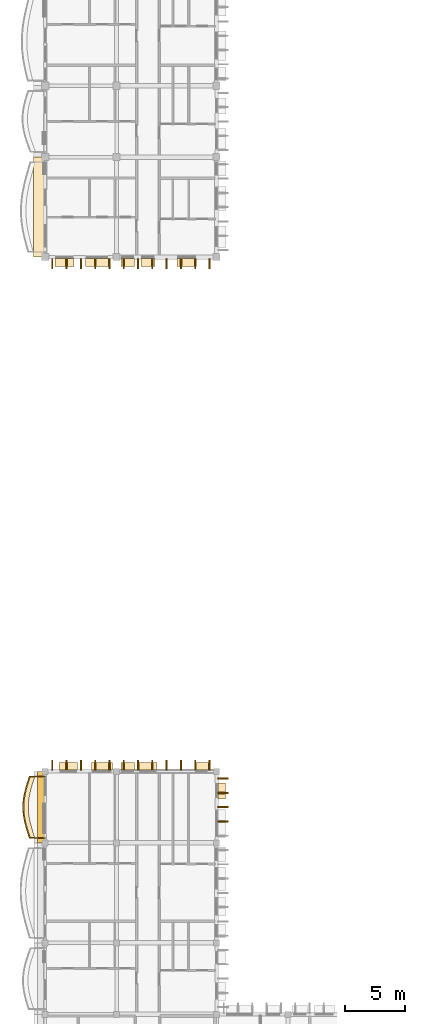
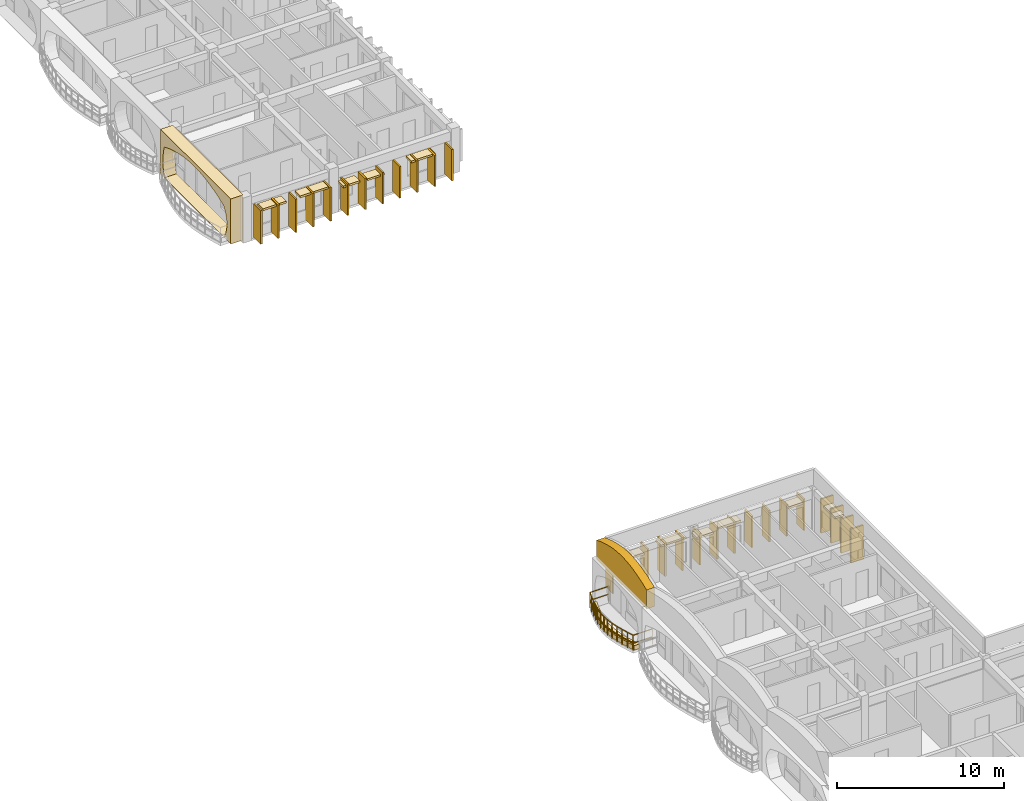
# One storey, part 33 of 45: 42 coverings, 1 railing.
"""IFC4 building model written with IfcOpenShell, lengths in metres."""

from ifc_helpers import new_model, si_unit, direction, frame, origin, origin_2d, place, context, subcontext, project, spatial, polyline, rectangle, outline, extrude, material, layer, layer_set, type_object, element, save


model = new_model("IFC4")

# Units and contexts
model_context = context("Model", 3, precision=1e-05, world=origin(), true_north=direction((0.0, 1.0)))
body_context = subcontext(model_context, "Body", "Model", "MODEL_VIEW")
ifc_project = project(units=[si_unit("LENGTHUNIT", "METRE"), si_unit("AREAUNIT", "SQUARE_METRE"), si_unit("VOLUMEUNIT", "CUBIC_METRE"), si_unit("PLANEANGLEUNIT", "RADIAN"), si_unit("MASSUNIT", "GRAM", prefix="KILO"), si_unit("THERMODYNAMICTEMPERATUREUNIT", "KELVIN")], contexts=[model_context])

# Site, building, storey
site_placement = place(None, origin())
site = spatial("IfcSite", under=ifc_project, at=site_placement, CompositionType="ELEMENT")
building_placement = place(site_placement, origin())
building = spatial("IfcBuilding", under=site, at=building_placement, Name="Thalorik Housing Commons", CompositionType="ELEMENT")
storey_placement = place(building_placement, frame((0.0, 0.0, 34.5)))
storey = spatial("IfcBuildingStorey", under=building, at=storey_placement, Name="L10", CompositionType="ELEMENT", Elevation=34.5)

# Coverings
ifc_material_1 = material(Name="Precast concrete C40/50", Category="concrete")
ifc_layer_1 = layer(ifc_material_1, 0.85009765625, Name="Precast concrete C40/50", Category="concrete")
ifc_layer_set_1 = layer_set([ifc_layer_1], Name="Precast concrete C40/50")
covering_type_1 = type_object("IfcCoveringType", Name="ARC-CLD-CUSH-850", PredefinedType="CLADDING", material=ifc_layer_set_1)
covering_1_placement = place(storey_placement, frame((7.857421875, 90.60009765625, 0.0), z_axis=(0.0, 0.0, 1.0), x_axis=(0.0, -1.0, 0.0)))
element("IfcCovering", 1, at=covering_1_placement, inside=storey, type_object=covering_type_1, Name="L10 White Precast Curved Cushion Bay Frame 1062", PredefinedType="CLADDING", context=body_context, shape_type="SweptSolid", body=[
    extrude(outline(polyline([(-4.199951171875, 0.0), (4.199951171875, 0.0), (4.199951171875, 3.300048828125), (-4.199951171875, 3.300048828125), (-4.199951171875, 0.0)]), holes=[polyline([(3.389892578125, 0.02490234375), (3.590087890625, 0.40087890625), (3.7099609375, 0.776611328125), (3.75, 1.152587890625), (3.7099609375, 1.5283203125), (3.590087890625, 1.904296875), (3.389892578125, 2.280029296875), (2.794921875, 2.51123046875), (2.199951171875, 2.693115234375), (1.60498046875, 2.840087890625), (1.010009765625, 2.94970703125), (0.4150390625, 3.01708984375), (-0.179931640625, 3.0400390625), (-0.77490234375, 3.01708984375), (-1.3701171875, 2.94970703125), (-1.965087890625, 2.840087890625), (-2.56005859375, 2.693115234375), (-3.155029296875, 2.51123046875), (-3.75, 2.280029296875), (-3.844970703125, 1.904296875), (-3.902099609375, 1.5283203125), (-3.9208984375, 1.152587890625), (-3.902099609375, 0.776611328125), (-3.844970703125, 0.40087890625), (-3.75, 0.02490234375), (3.389892578125, 0.02490234375)])]), frame((0.0, 0.425048828125, 0.0), z_axis=(0.0, -1.0, 0.0), x_axis=(1.0, 0.0, 0.0)), (0.0, 0.0, 1.0), 0.85009765625),
])
ifc_layer_2 = layer(ifc_material_1, 0.85009765625, Name="Precast concrete C40/50", Category="concrete")
ifc_layer_set_2 = layer_set([ifc_layer_2], Name="Precast concrete C40/50")
covering_type_2 = type_object("IfcCoveringType", Name="ARC-CLD-FIN-850", PredefinedType="CLADDING", material=ifc_layer_set_2)
for number, where, z_axis, x_axis, name in (
    (2, (9.0, 85.857421875, 0.0400390625), (0.0, 0.0, 1.0), (1.0, 0.0, 0.0), "L10 Courtyard Precast Vertical Brise-Soleil Fin 1064"),
    (3, (10.199951171875, 85.857421875, 0.0400390625), (0.0, 0.0, 1.0), (1.0, 0.0, 0.0), "L10 Courtyard Precast Vertical Brise-Soleil Fin 1065"),
    (4, (11.39990234375, 85.857421875, 0.0400390625), (0.0, 0.0, 1.0), (1.0, 0.0, 0.0), "L10 Courtyard Precast Vertical Brise-Soleil Fin 1066"),
    (5, (12.60009765625, 85.857421875, 0.0400390625), (0.0, 0.0, 1.0), (1.0, 0.0, 0.0), "L10 Courtyard Precast Vertical Brise-Soleil Fin 1067"),
    (6, (13.800048828125, 85.857421875, 0.0400390625), (0.0, 0.0, 1.0), (1.0, 0.0, 0.0), "L10 Courtyard Precast Vertical Brise-Soleil Fin 1068"),
):
    element("IfcCovering", number, at=place(storey_placement, frame(where, z_axis=z_axis, x_axis=x_axis)), inside=storey, type_object=covering_type_2, Name=name, PredefinedType="CLADDING", context=body_context, shape_type="SweptSolid", body=[
        extrude(rectangle(XDim=0.110107421875, YDim=0.85009765625, at=origin_2d()), origin(), (0.0, 0.0, 1.0), 2.445068359375),
    ])
for number, where, z_axis, x_axis, name in (
    (7, (15.0, 85.857421875, 0.0400390625), (0.0, 0.0, 1.0), (1.0, 0.0, 0.0), "L10 Courtyard Precast Vertical Brise-Soleil Fin 1071"),
    (8, (16.199951171875, 85.857421875, 0.0400390625), (0.0, 0.0, 1.0), (1.0, 0.0, 0.0), "L10 Courtyard Precast Vertical Brise-Soleil Fin 1072"),
    (9, (17.39990234375, 85.857421875, 0.0400390625), (0.0, 0.0, 1.0), (1.0, 0.0, 0.0), "L10 Courtyard Precast Vertical Brise-Soleil Fin 1073"),
    (10, (18.60009765625, 85.857421875, 0.0400390625), (0.0, 0.0, 1.0), (1.0, 0.0, 0.0), "L10 Courtyard Precast Vertical Brise-Soleil Fin 1074"),
    (11, (19.800048828125, 85.857421875, 0.0400390625), (0.0, 0.0, 1.0), (1.0, 0.0, 0.0), "L10 Courtyard Precast Vertical Brise-Soleil Fin 1075"),
    (12, (21.0, 85.857421875, 0.0400390625), (0.0, 0.0, 1.0), (1.0, 0.0, 0.0), "L10 Courtyard Precast Vertical Brise-Soleil Fin 1076"),
    (13, (22.199951171875, 85.857421875, 0.0400390625), (0.0, 0.0, 1.0), (1.0, 0.0, 0.0), "L10 Courtyard Precast Vertical Brise-Soleil Fin 1077"),
):
    element("IfcCovering", number, at=place(storey_placement, frame(where, z_axis=z_axis, x_axis=x_axis)), inside=storey, type_object=covering_type_2, Name=name, PredefinedType="CLADDING", context=body_context, shape_type="SweptSolid", body=[
        extrude(rectangle(XDim=0.110107421875, YDim=0.85009765625, at=origin_2d()), origin(), (0.0, 0.0, 1.0), 2.294921875),
    ])
for number, where, z_axis, x_axis, name in (
    (14, (23.33251953125, 39.0, 0.0400390625), (0.0, 0.0, 1.0), (0.0, 1.0, 0.0), "L10 Courtyard Precast Vertical Brise-Soleil Fin 4434"),
    (15, (23.33251953125, 40.199951171875, 0.0400390625), (0.0, 0.0, 1.0), (0.0, 1.0, 0.0), "L10 Courtyard Precast Vertical Brise-Soleil Fin 4435"),
    (16, (23.33251953125, 41.39990234375, 0.0400390625), (0.0, 0.0, 1.0), (0.0, 1.0, 0.0), "L10 Courtyard Precast Vertical Brise-Soleil Fin 4436"),
    (17, (23.33251953125, 42.60009765625, 0.0400390625), (0.0, 0.0, 1.0), (0.0, 1.0, 0.0), "L10 Courtyard Precast Vertical Brise-Soleil Fin 4437"),
):
    element("IfcCovering", number, at=place(storey_placement, frame(where, z_axis=z_axis, x_axis=x_axis)), inside=storey, type_object=covering_type_2, Name=name, PredefinedType="CLADDING", context=body_context, shape_type="SweptSolid", body=[
        extrude(rectangle(XDim=0.110107421875, YDim=0.85009765625, at=origin_2d()), origin(), (0.0, 0.0, 1.0), 2.4951171875),
    ])
for number, where, z_axis, x_axis, name in (
    (18, (22.199951171875, 43.732421875, 0.0400390625), (0.0, 0.0, 1.0), (-1.0, 0.0, 0.0), "L10 Courtyard Precast Vertical Brise-Soleil Fin 4440"),
    (19, (21.0, 43.732421875, 0.0400390625), (0.0, 0.0, 1.0), (-1.0, 0.0, 0.0), "L10 Courtyard Precast Vertical Brise-Soleil Fin 4441"),
    (20, (19.800048828125, 43.732421875, 0.0400390625), (0.0, 0.0, 1.0), (-1.0, 0.0, 0.0), "L10 Courtyard Precast Vertical Brise-Soleil Fin 4442"),
    (21, (18.60009765625, 43.732421875, 0.0400390625), (0.0, 0.0, 1.0), (-1.0, 0.0, 0.0), "L10 Courtyard Precast Vertical Brise-Soleil Fin 4443"),
    (22, (17.39990234375, 43.732421875, 0.0400390625), (0.0, 0.0, 1.0), (-1.0, 0.0, 0.0), "L10 Courtyard Precast Vertical Brise-Soleil Fin 4444"),
    (23, (16.199951171875, 43.732421875, 0.0400390625), (0.0, 0.0, 1.0), (-1.0, 0.0, 0.0), "L10 Courtyard Precast Vertical Brise-Soleil Fin 4445"),
    (24, (15.0, 43.732421875, 0.0400390625), (0.0, 0.0, 1.0), (-1.0, 0.0, 0.0), "L10 Courtyard Precast Vertical Brise-Soleil Fin 4446"),
):
    element("IfcCovering", number, at=place(storey_placement, frame(where, z_axis=z_axis, x_axis=x_axis)), inside=storey, type_object=covering_type_2, Name=name, PredefinedType="CLADDING", context=body_context, shape_type="SweptSolid", body=[
        extrude(rectangle(XDim=0.110107421875, YDim=0.85009765625, at=origin_2d()), origin(), (0.0, 0.0, 1.0), 2.294921875),
    ])
for number, where, z_axis, x_axis, name in (
    (25, (13.800048828125, 43.732421875, 0.0400390625), (0.0, 0.0, 1.0), (-1.0, 0.0, 0.0), "L10 Courtyard Precast Vertical Brise-Soleil Fin 4450"),
    (26, (12.60009765625, 43.732421875, 0.0400390625), (0.0, 0.0, 1.0), (-1.0, 0.0, 0.0), "L10 Courtyard Precast Vertical Brise-Soleil Fin 4451"),
    (27, (11.39990234375, 43.732421875, 0.0400390625), (0.0, 0.0, 1.0), (-1.0, 0.0, 0.0), "L10 Courtyard Precast Vertical Brise-Soleil Fin 4452"),
    (28, (10.199951171875, 43.732421875, 0.0400390625), (0.0, 0.0, 1.0), (-1.0, 0.0, 0.0), "L10 Courtyard Precast Vertical Brise-Soleil Fin 4453"),
    (29, (9.0, 43.732421875, 0.0400390625), (0.0, 0.0, 1.0), (-1.0, 0.0, 0.0), "L10 Courtyard Precast Vertical Brise-Soleil Fin 4454"),
):
    element("IfcCovering", number, at=place(storey_placement, frame(where, z_axis=z_axis, x_axis=x_axis)), inside=storey, type_object=covering_type_2, Name=name, PredefinedType="CLADDING", context=body_context, shape_type="SweptSolid", body=[
        extrude(rectangle(XDim=0.110107421875, YDim=0.85009765625, at=origin_2d()), origin(), (0.0, 0.0, 1.0), 2.445068359375),
    ])
ifc_layer_3 = layer(ifc_material_1, 0.64990234375, Name="Precast concrete C40/50", Category="concrete")
ifc_layer_set_3 = layer_set([ifc_layer_3], Name="Precast concrete C40/50")
covering_type_3 = type_object("IfcCoveringType", Name="ARC-CLD-HOOD-650", PredefinedType="CLADDING", material=ifc_layer_set_3)
covering_2_placement = place(storey_placement, frame((10.030029296875, 85.95751953125, 2.27001953125), z_axis=(0.0, 0.0, 1.0), x_axis=(1.0, 0.0, 0.0)))
element("IfcCovering", 30, at=covering_2_placement, inside=storey, type_object=covering_type_3, Name="L10 Courtyard Precast Window Sun-Hood 1069", PredefinedType="CLADDING", context=body_context, shape_type="SweptSolid", body=[
    extrude(rectangle(XDim=1.6201171875, YDim=0.64990234375, at=origin_2d()), origin(), (0.0, 0.0, 1.0), 0.139892578125),
])
covering_3_placement = place(storey_placement, frame((12.77001953125, 85.95751953125, 2.31005859375), z_axis=(0.0, 0.0, 1.0), x_axis=(1.0, 0.0, 0.0)))
element("IfcCovering", 31, at=covering_3_placement, inside=storey, type_object=covering_type_3, Name="L10 Courtyard Precast Window Sun-Hood 1070", PredefinedType="CLADDING", context=body_context, shape_type="SweptSolid", body=[
    extrude(rectangle(XDim=1.9599609375, YDim=0.64990234375, at=origin_2d()), origin(), (0.0, 0.0, 1.0), 0.139892578125),
])
covering_4_placement = place(storey_placement, frame((15.3349609375, 85.95751953125, 1.990234375), z_axis=(0.0, 0.0, 1.0), x_axis=(1.0, 0.0, 0.0)))
element("IfcCovering", 32, at=covering_4_placement, inside=storey, type_object=covering_type_3, Name="L10 Courtyard Precast Window Sun-Hood 1078", PredefinedType="CLADDING", context=body_context, shape_type="SweptSolid", body=[
    extrude(rectangle(XDim=1.139892578125, YDim=0.64990234375, at=origin_2d()), origin(), (0.0, 0.0, 1.0), 0.139892578125),
])
covering_5_placement = place(storey_placement, frame((17.030029296875, 85.95751953125, 1.93994140625), z_axis=(0.0, 0.0, 1.0), x_axis=(1.0, 0.0, 0.0)))
element("IfcCovering", 33, at=covering_5_placement, inside=storey, type_object=covering_type_3, Name="L10 Courtyard Precast Window Sun-Hood 1079", PredefinedType="CLADDING", context=body_context, shape_type="SweptSolid", body=[
    extrude(rectangle(XDim=1.18994140625, YDim=0.64990234375, at=origin_2d()), origin(), (0.0, 0.0, 1.0), 0.139892578125),
])
covering_6_placement = place(storey_placement, frame((20.294921875, 85.95751953125, 2.169921875), z_axis=(0.0, 0.0, 1.0), x_axis=(1.0, 0.0, 0.0)))
element("IfcCovering", 34, at=covering_6_placement, inside=storey, type_object=covering_type_3, Name="L10 Courtyard Precast Window Sun-Hood 1080", PredefinedType="CLADDING", context=body_context, shape_type="SweptSolid", body=[
    extrude(rectangle(XDim=1.659912109375, YDim=0.64990234375, at=origin_2d()), origin(), (0.0, 0.0, 1.0), 0.139892578125),
])
covering_7_placement = place(storey_placement, frame((23.232421875, 41.570068359375, 2.08984375), z_axis=(0.0, 0.0, 1.0), x_axis=(0.0, 1.0, 0.0)))
element("IfcCovering", 35, at=covering_7_placement, inside=storey, type_object=covering_type_3, Name="L10 Courtyard Precast Window Sun-Hood 4439", PredefinedType="CLADDING", context=body_context, shape_type="SweptSolid", body=[
    extrude(rectangle(XDim=1.340087890625, YDim=0.64990234375, at=origin_2d()), origin(), (0.0, 0.0, 1.0), 0.139892578125),
])
covering_8_placement = place(storey_placement, frame((21.53271484375, 43.632568359375, 1.990234375), z_axis=(0.0, 0.0, 1.0), x_axis=(-1.0, 0.0, 0.0)))
element("IfcCovering", 36, at=covering_8_placement, inside=storey, type_object=covering_type_3, Name="L10 Courtyard Precast Window Sun-Hood 4447", PredefinedType="CLADDING", context=body_context, shape_type="SweptSolid", body=[
    extrude(rectangle(XDim=1.139892578125, YDim=0.64990234375, at=origin_2d()), origin(), (0.0, 0.0, 1.0), 0.139892578125),
])
covering_9_placement = place(storey_placement, frame((17.030029296875, 43.632568359375, 2.18994140625), z_axis=(0.0, 0.0, 1.0), x_axis=(-1.0, 0.0, 0.0)))
element("IfcCovering", 37, at=covering_9_placement, inside=storey, type_object=covering_type_3, Name="L10 Courtyard Precast Window Sun-Hood 4448", PredefinedType="CLADDING", context=body_context, shape_type="SweptSolid", body=[
    extrude(rectangle(XDim=1.5400390625, YDim=0.64990234375, at=origin_2d()), origin(), (0.0, 0.0, 1.0), 0.139892578125),
])
covering_10_placement = place(storey_placement, frame((15.3349609375, 43.632568359375, 1.990234375), z_axis=(0.0, 0.0, 1.0), x_axis=(-1.0, 0.0, 0.0)))
element("IfcCovering", 38, at=covering_10_placement, inside=storey, type_object=covering_type_3, Name="L10 Courtyard Precast Window Sun-Hood 4449", PredefinedType="CLADDING", context=body_context, shape_type="SweptSolid", body=[
    extrude(rectangle(XDim=1.139892578125, YDim=0.64990234375, at=origin_2d()), origin(), (0.0, 0.0, 1.0), 0.139892578125),
])
covering_11_placement = place(storey_placement, frame((13.163818359375, 43.632568359375, 2.2900390625), z_axis=(0.0, 0.0, 1.0), x_axis=(-1.0, 0.0, 0.0)))
element("IfcCovering", 39, at=covering_11_placement, inside=storey, type_object=covering_type_3, Name="L10 Courtyard Precast Window Sun-Hood 4455", PredefinedType="CLADDING", context=body_context, shape_type="SweptSolid", body=[
    extrude(rectangle(XDim=1.739990234375, YDim=0.64990234375, at=origin_2d()), origin(), (0.0, 0.0, 1.0), 0.139892578125),
])
covering_12_placement = place(storey_placement, frame((10.353759765625, 43.632568359375, 2.14013671875), z_axis=(0.0, 0.0, 1.0), x_axis=(-1.0, 0.0, 0.0)))
element("IfcCovering", 40, at=covering_12_placement, inside=storey, type_object=covering_type_3, Name="L10 Courtyard Precast Window Sun-Hood 4456", PredefinedType="CLADDING", context=body_context, shape_type="SweptSolid", body=[
    extrude(rectangle(XDim=1.56005859375, YDim=0.64990234375, at=origin_2d()), origin(), (0.0, 0.0, 1.0), 0.139892578125),
])
ifc_layer_4 = layer(ifc_material_1, 0.550048828125, Name="Precast concrete C40/50", Category="concrete")
ifc_layer_set_4 = layer_set([ifc_layer_4], Name="Precast concrete C40/50")
covering_type_4 = type_object("IfcCoveringType", Name="ARC-CLD-PAR-550", PredefinedType="CLADDING", material=ifc_layer_set_4)
covering_13_placement = place(storey_placement, frame((8.04248046875, 40.199951171875, 3.06005859375), z_axis=(0.0, 0.0, 1.0), x_axis=(0.0, -1.0, 0.0)))
element("IfcCovering", 41, at=covering_13_placement, inside=storey, type_object=covering_type_4, Name="L10 Block C Scalloped White Precast Parapet Crest 4515", PredefinedType="CLADDING", context=body_context, shape_type="SweptSolid", body=[
    extrude(outline(polyline([(-3.0, 0.0), (3.0, 0.0), (3.0, 1.3798828125), (2.5, 1.58154296875), (2.0, 1.744384765625), (1.5, 1.877685546875), (1.0, 1.977294921875), (0.5, 2.0390625), (0.0, 2.06005859375), (-0.5, 2.0390625), (-1.0, 1.977294921875), (-1.5, 1.877685546875), (-2.0, 1.744384765625), (-2.5, 1.58154296875), (-3.0, 1.3798828125), (-3.0, 0.0)])), frame((0.0, 0.27490234375, 0.0), z_axis=(0.0, -1.0, 0.0), x_axis=(1.0, 0.0, 0.0)), (0.0, 0.0, 1.0), 0.550048828125),
])
ifc_material_2 = material(Name="Planted vegetated substrate and terracotta trough", Category="masonry")
ifc_layer_5 = layer(ifc_material_2, 0.340087890625, Name="Planted vegetated substrate and terracotta trough", Category="masonry")
ifc_layer_set_5 = layer_set([ifc_layer_5], Name="Planted vegetated substrate and terracotta trough")
covering_type_5 = type_object("IfcCoveringType", Name="ARC-COV-PLANTER", PredefinedType="USERDEFINED", material=ifc_layer_set_5)
covering_14_placement = place(storey_placement, origin())
element("IfcCovering", 42, at=covering_14_placement, inside=storey, type_object=covering_type_5, Name="L10 Balcony Slab-Edge Planted Trough 5641", ObjectType="PLANTER", PredefinedType="USERDEFINED", context=body_context, shape_type="SweptSolid", body=[
    extrude(outline(polyline([(7.152099609375, 42.780029296875), (7.012939453125, 42.35009765625), (6.882080078125, 41.919921875), (6.768798828125, 41.489990234375), (6.681640625, 41.06005859375), (6.626708984375, 40.6298828125), (6.60791015625, 40.199951171875), (6.626708984375, 39.77001953125), (6.681640625, 39.340087890625), (6.768798828125, 38.909912109375), (6.882080078125, 38.47998046875), (7.012939453125, 38.050048828125), (7.152099609375, 37.6201171875), (7.5322265625, 37.6201171875), (7.39306640625, 38.050048828125), (7.261962890625, 38.47998046875), (7.14892578125, 38.909912109375), (7.061767578125, 39.340087890625), (7.0068359375, 39.77001953125), (6.988037109375, 40.199951171875), (7.0068359375, 40.6298828125), (7.061767578125, 41.06005859375), (7.14892578125, 41.489990234375), (7.261962890625, 41.919921875), (7.39306640625, 42.35009765625), (7.5322265625, 42.780029296875), (7.152099609375, 42.780029296875)])), origin(), (0.0, 0.0, 1.0), 0.340087890625),
])

# Railing
ifc_material_3 = material(Name="Steel S355", Category="steel")
railing_type = type_object("IfcRailingType", Name="ARC-RL-BAL-115", PredefinedType="BALUSTRADE", material=ifc_material_3)
railing_placement = place(storey_placement, frame((8.39990234375, 42.780029296875, 0.0)))
element("IfcRailing", 43, at=railing_placement, inside=storey, type_object=railing_type, Name="L10 Cushion Balcony Guardrail 325", PredefinedType="BALUSTRADE", context=body_context, shape_type="SweptSolid", body=[
    extrude(rectangle(XDim=0.050048828125, YDim=0.050048828125, at=origin_2d()), frame((0.0, 0.0, 1.125), z_axis=(-1.0, 0.0, 0.0), x_axis=(0.0, -1.0, 0.0)), (0.0, 0.0, 1.0), 1.317626953125),
    extrude(rectangle(XDim=0.050048828125, YDim=0.050048828125, at=origin_2d()), frame((0.0, 0.0, 0.5498046875), z_axis=(-1.0, 0.0, 0.0), x_axis=(0.0, -1.0, 0.0)), (0.0, 0.0, 1.0), 1.317626953125),
    extrude(rectangle(XDim=0.050048828125, YDim=0.050048828125, at=origin_2d()), frame((-1.317626953125, 0.0, 1.125), z_axis=(-0.30794974254, -0.951402625637, 0.0), x_axis=(0.951402625637, -0.30794974254, 0.0)), (0.0, 0.0, 1.0), 0.451904296875),
    extrude(rectangle(XDim=0.050048828125, YDim=0.050048828125, at=origin_2d()), frame((-1.317626953125, 0.0, 0.5498046875), z_axis=(-0.30794974254, -0.951402625637, 0.0), x_axis=(0.951402625637, -0.30794974254, 0.0)), (0.0, 0.0, 1.0), 0.451904296875),
    extrude(rectangle(XDim=0.050048828125, YDim=0.050048828125, at=origin_2d()), frame((-1.456787109375, -0.429931640625, 1.125), z_axis=(-0.291528839554, -0.956562039655, 0.0), x_axis=(0.956562039655, -0.291528839554, 0.0)), (0.0, 0.0, 1.0), 0.44970703125),
    extrude(rectangle(XDim=0.050048828125, YDim=0.050048828125, at=origin_2d()), frame((-1.456787109375, -0.429931640625, 0.5498046875), z_axis=(-0.291528839554, -0.956562039655, 0.0), x_axis=(0.956562039655, -0.291528839554, 0.0)), (0.0, 0.0, 1.0), 0.44970703125),
    extrude(rectangle(XDim=0.050048828125, YDim=0.050048828125, at=origin_2d()), frame((-1.587890625, -0.860107421875, 1.125), z_axis=(-0.254277029817, -0.967131424423, 0.0), x_axis=(0.967131424423, -0.254277029817, 0.0)), (0.0, 0.0, 1.0), 0.444580078125),
    extrude(rectangle(XDim=0.050048828125, YDim=0.050048828125, at=origin_2d()), frame((-1.587890625, -0.860107421875, 0.5498046875), z_axis=(-0.254277029817, -0.967131424423, 0.0), x_axis=(0.967131424423, -0.254277029817, 0.0)), (0.0, 0.0, 1.0), 0.444580078125),
    extrude(rectangle(XDim=0.050048828125, YDim=0.050048828125, at=origin_2d()), frame((-1.700927734375, -1.2900390625, 1.125), z_axis=(-0.198684099639, -0.980063583933, 0.0), x_axis=(0.980063583933, -0.198684099639, 0.0)), (0.0, 0.0, 1.0), 0.438720703125),
    extrude(rectangle(XDim=0.050048828125, YDim=0.050048828125, at=origin_2d()), frame((-1.700927734375, -1.2900390625, 0.5498046875), z_axis=(-0.198684099639, -0.980063583933, 0.0), x_axis=(0.980063583933, -0.198684099639, 0.0)), (0.0, 0.0, 1.0), 0.438720703125),
    extrude(rectangle(XDim=0.050048828125, YDim=0.050048828125, at=origin_2d()), frame((-1.7880859375, -1.719970703125, 1.125), z_axis=(-0.126667244424, -0.991945265219, 0.0), x_axis=(0.991945265219, -0.126667244424, 0.0)), (0.0, 0.0, 1.0), 0.43359375),
    extrude(rectangle(XDim=0.050048828125, YDim=0.050048828125, at=origin_2d()), frame((-1.7880859375, -1.719970703125, 0.5498046875), z_axis=(-0.126667244424, -0.991945265219, 0.0), x_axis=(0.991945265219, -0.126667244424, 0.0)), (0.0, 0.0, 1.0), 0.43359375),
    extrude(rectangle(XDim=0.050048828125, YDim=0.050048828125, at=origin_2d()), frame((-1.843017578125, -2.150146484375, 1.125), z_axis=(-0.043683417173, -0.999045423924, 0.0), x_axis=(0.999045423924, -0.043683417173, 0.0)), (0.0, 0.0, 1.0), 0.430419921875),
    extrude(rectangle(XDim=0.050048828125, YDim=0.050048828125, at=origin_2d()), frame((-1.843017578125, -2.150146484375, 0.5498046875), z_axis=(-0.043683417173, -0.999045423924, 0.0), x_axis=(0.999045423924, -0.043683417173, 0.0)), (0.0, 0.0, 1.0), 0.430419921875),
    extrude(rectangle(XDim=0.050048828125, YDim=0.050048828125, at=origin_2d()), frame((-1.86181640625, -2.580078125, 1.125), z_axis=(0.043683417173, -0.999045423924, 0.0), x_axis=(0.999045423924, 0.043683417173, 0.0)), (0.0, 0.0, 1.0), 0.430419921875),
    extrude(rectangle(XDim=0.050048828125, YDim=0.050048828125, at=origin_2d()), frame((-1.86181640625, -2.580078125, 0.5498046875), z_axis=(0.043683417173, -0.999045423924, 0.0), x_axis=(0.999045423924, 0.043683417173, 0.0)), (0.0, 0.0, 1.0), 0.430419921875),
    extrude(rectangle(XDim=0.050048828125, YDim=0.050048828125, at=origin_2d()), frame((-1.843017578125, -3.010009765625, 1.125), z_axis=(0.126738018539, -0.991936225096, 0.0), x_axis=(0.991936225096, 0.126738018539, 0.0)), (0.0, 0.0, 1.0), 0.433349609375),
    extrude(rectangle(XDim=0.050048828125, YDim=0.050048828125, at=origin_2d()), frame((-1.843017578125, -3.010009765625, 0.5498046875), z_axis=(0.126738018539, -0.991936225096, 0.0), x_axis=(0.991936225096, 0.126738018539, 0.0)), (0.0, 0.0, 1.0), 0.433349609375),
    extrude(rectangle(XDim=0.050048828125, YDim=0.050048828125, at=origin_2d()), frame((-1.7880859375, -3.43994140625, 1.125), z_axis=(0.198575786708, -0.980085535519, 0.0), x_axis=(0.980085535519, 0.198575786708, 0.0)), (0.0, 0.0, 1.0), 0.43896484375),
    extrude(rectangle(XDim=0.050048828125, YDim=0.050048828125, at=origin_2d()), frame((-1.7880859375, -3.43994140625, 0.5498046875), z_axis=(0.198575786708, -0.980085535519, 0.0), x_axis=(0.980085535519, 0.198575786708, 0.0)), (0.0, 0.0, 1.0), 0.43896484375),
    extrude(rectangle(XDim=0.050048828125, YDim=0.050048828125, at=origin_2d()), frame((-1.700927734375, -3.8701171875, 1.125), z_axis=(0.254277029817, -0.967131424423, 0.0), x_axis=(0.967131424423, 0.254277029817, 0.0)), (0.0, 0.0, 1.0), 0.444580078125),
    extrude(rectangle(XDim=0.050048828125, YDim=0.050048828125, at=origin_2d()), frame((-1.700927734375, -3.8701171875, 0.5498046875), z_axis=(0.254277029817, -0.967131424423, 0.0), x_axis=(0.967131424423, 0.254277029817, 0.0)), (0.0, 0.0, 1.0), 0.444580078125),
    extrude(rectangle(XDim=0.050048828125, YDim=0.050048828125, at=origin_2d()), frame((-1.587890625, -4.300048828125, 1.125), z_axis=(0.2916803062, -0.956515864466, 0.0), x_axis=(0.956515864466, 0.2916803062, 0.0)), (0.0, 0.0, 1.0), 0.449462890625),
    extrude(rectangle(XDim=0.050048828125, YDim=0.050048828125, at=origin_2d()), frame((-1.587890625, -4.300048828125, 0.5498046875), z_axis=(0.2916803062, -0.956515864466, 0.0), x_axis=(0.956515864466, 0.2916803062, 0.0)), (0.0, 0.0, 1.0), 0.449462890625),
    extrude(rectangle(XDim=0.050048828125, YDim=0.050048828125, at=origin_2d()), frame((-1.456787109375, -4.72998046875, 1.125), z_axis=(0.30794974254, -0.951402625637, 0.0), x_axis=(0.951402625637, 0.30794974254, 0.0)), (0.0, 0.0, 1.0), 0.451904296875),
    extrude(rectangle(XDim=0.050048828125, YDim=0.050048828125, at=origin_2d()), frame((-1.456787109375, -4.72998046875, 0.5498046875), z_axis=(0.30794974254, -0.951402625637, 0.0), x_axis=(0.951402625637, 0.30794974254, 0.0)), (0.0, 0.0, 1.0), 0.451904296875),
    extrude(rectangle(XDim=0.050048828125, YDim=0.050048828125, at=origin_2d()), frame((-1.317626953125, -5.159912109375, 1.125), z_axis=(1.0, 0.0, 0.0), x_axis=(0.0, 1.0, 0.0)), (0.0, 0.0, 1.0), 1.317626953125),
    extrude(rectangle(XDim=0.050048828125, YDim=0.050048828125, at=origin_2d()), frame((-1.317626953125, -5.159912109375, 0.5498046875), z_axis=(1.0, 0.0, 0.0), x_axis=(0.0, 1.0, 0.0)), (0.0, 0.0, 1.0), 1.317626953125),
    extrude(rectangle(XDim=0.0419921875, YDim=0.0419921875, at=origin_2d()), origin(), (0.0, 0.0, 1.0), 1.099853515625),
    extrude(rectangle(XDim=0.0419921875, YDim=0.0419921875, at=origin_2d()), frame((-1.317626953125, 0.0, 0.0)), (0.0, 0.0, 1.0), 1.099853515625),
    extrude(rectangle(XDim=0.0419921875, YDim=0.0419921875, at=origin_2d()), frame((-1.456787109375, -0.429931640625, 0.0)), (0.0, 0.0, 1.0), 1.099853515625),
    extrude(rectangle(XDim=0.0419921875, YDim=0.0419921875, at=origin_2d()), frame((-1.587890625, -0.860107421875, 0.0)), (0.0, 0.0, 1.0), 1.099853515625),
    extrude(rectangle(XDim=0.0419921875, YDim=0.0419921875, at=origin_2d()), frame((-1.700927734375, -1.2900390625, 0.0)), (0.0, 0.0, 1.0), 1.099853515625),
    extrude(rectangle(XDim=0.0419921875, YDim=0.0419921875, at=origin_2d()), frame((-1.7880859375, -1.719970703125, 0.0)), (0.0, 0.0, 1.0), 1.099853515625),
    extrude(rectangle(XDim=0.0419921875, YDim=0.0419921875, at=origin_2d()), frame((-1.843017578125, -2.150146484375, 0.0)), (0.0, 0.0, 1.0), 1.099853515625),
    extrude(rectangle(XDim=0.0419921875, YDim=0.0419921875, at=origin_2d()), frame((-1.86181640625, -2.580078125, 0.0)), (0.0, 0.0, 1.0), 1.099853515625),
    extrude(rectangle(XDim=0.0419921875, YDim=0.0419921875, at=origin_2d()), frame((-1.843017578125, -3.010009765625, 0.0)), (0.0, 0.0, 1.0), 1.099853515625),
    extrude(rectangle(XDim=0.0419921875, YDim=0.0419921875, at=origin_2d()), frame((-1.7880859375, -3.43994140625, 0.0)), (0.0, 0.0, 1.0), 1.099853515625),
    extrude(rectangle(XDim=0.0419921875, YDim=0.0419921875, at=origin_2d()), frame((-1.700927734375, -3.8701171875, 0.0)), (0.0, 0.0, 1.0), 1.099853515625),
    extrude(rectangle(XDim=0.0419921875, YDim=0.0419921875, at=origin_2d()), frame((-1.587890625, -4.300048828125, 0.0)), (0.0, 0.0, 1.0), 1.099853515625),
    extrude(rectangle(XDim=0.0419921875, YDim=0.0419921875, at=origin_2d()), frame((-1.456787109375, -4.72998046875, 0.0)), (0.0, 0.0, 1.0), 1.099853515625),
    extrude(rectangle(XDim=0.0419921875, YDim=0.0419921875, at=origin_2d()), frame((-1.317626953125, -5.159912109375, 0.0)), (0.0, 0.0, 1.0), 1.099853515625),
    extrude(rectangle(XDim=0.0419921875, YDim=0.0419921875, at=origin_2d()), frame((0.0, -5.159912109375, 0.0)), (0.0, 0.0, 1.0), 1.099853515625),
])

save(model, "model.ifc")
